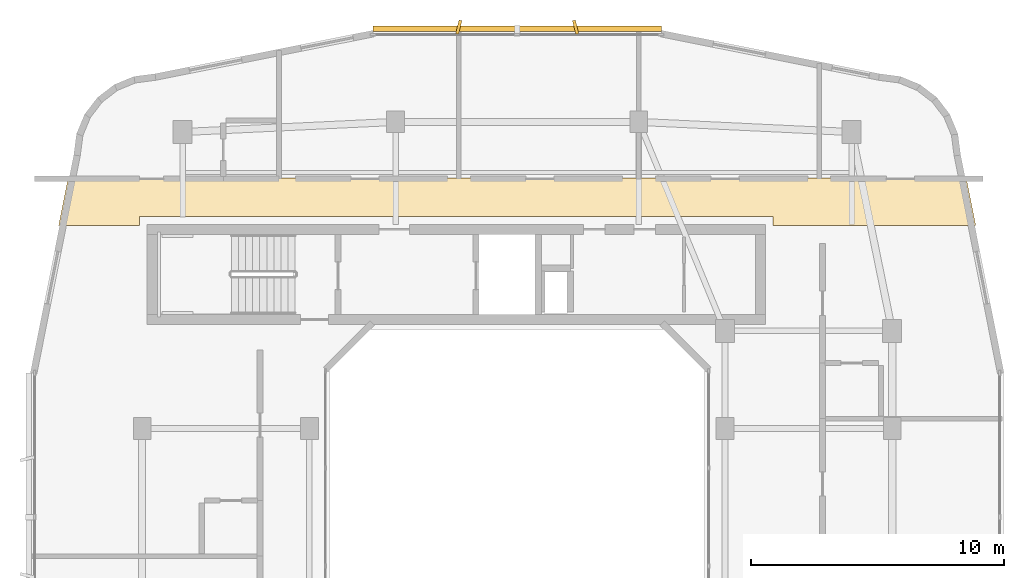
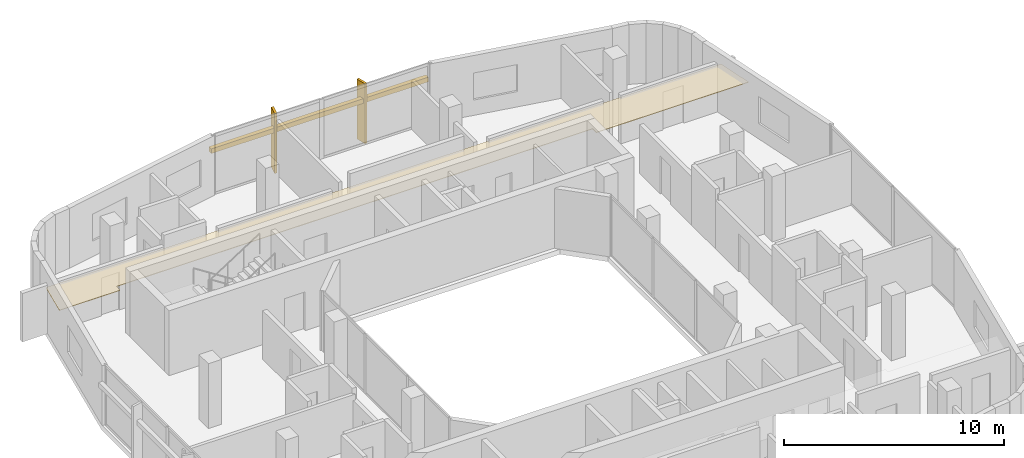
# One storey, part 14 of 14: 3 shading devices, 1 covering.
"""IFC4 building model written with IfcOpenShell, lengths in metres."""

from ifc_helpers import new_model, si_unit, derived_unit, direction, frame, origin, origin_2d, place, context, subcontext, project, spatial, polyline, rectangle, outline, extrude, material, layer, layer_set, type_object, element, save


model = new_model("IFC4")

# Units and contexts
model_context = context("Model", 3, precision=1e-05, world=origin(), true_north=direction((0.0, 1.0)))
body_context = subcontext(model_context, "Body", "Model", "MODEL_VIEW")
ifc_project = project(units=[si_unit("LENGTHUNIT", "METRE"), si_unit("AREAUNIT", "SQUARE_METRE"), si_unit("VOLUMEUNIT", "CUBIC_METRE"), si_unit("PLANEANGLEUNIT", "RADIAN"), si_unit("MASSUNIT", "GRAM", prefix="KILO"), derived_unit("THERMALTRANSMITTANCEUNIT", [(si_unit("POWERUNIT", "WATT"), 1), (si_unit("LENGTHUNIT", "METRE"), -2), (si_unit("THERMODYNAMICTEMPERATUREUNIT", "KELVIN"), -1)])], contexts=[model_context])

# Site, building, storey
site_placement = place(None, origin())
site = spatial("IfcSite", under=ifc_project, at=site_placement, CompositionType="ELEMENT")
building_placement = place(site_placement, origin())
building = spatial("IfcBuilding", under=site, at=building_placement, Name="Kivonza Crest Hotel", CompositionType="ELEMENT")
storey_placement = place(building_placement, frame((0.0, 0.0, 213.5)))
storey = spatial("IfcBuildingStorey", under=building, at=storey_placement, Name="L58", CompositionType="ELEMENT", Elevation=213.5)

# Covering
ifc_material_1 = material(Name="Moisture-resistant gypsum plasterboard ceiling", Category="gypsum")
ifc_layer = layer(ifc_material_1, 0.030029296875)
ifc_layer_set = layer_set([ifc_layer], Name="Moisture-resistant gypsum plasterboard ceiling")
covering_type = type_object("IfcCoveringType", Name="CV-CEIL-GYP", PredefinedType="CEILING", material=ifc_layer_set)
covering_placement = place(storey_placement, frame((0.0, 0.0, 2.449951171875)))
element("IfcCovering", 1, at=covering_placement, inside=storey, type_object=covering_type, Name="L58 Hotel North Guest Corridor suspended ceiling", PredefinedType="CEILING", context=body_context, shape_type="SweptSolid", body=[
    extrude(outline(polyline([(3.278076171875, 38.389892578125), (2.906005859375, 36.52001953125), (6.10009765625, 36.52001953125), (6.10009765625, 36.860107421875), (31.10009765625, 36.860107421875), (31.10009765625, 36.52001953125), (39.093994140625, 36.52001953125), (38.721923828125, 38.389892578125), (3.278076171875, 38.389892578125)])), origin(), (0.0, 0.0, 1.0), 0.030029296875),
])

# Shading devices
ifc_material_2 = material(Name="Kiln-fired Nairobi red-ochre terracotta", Category="masonry")
shading_device_type_1 = type_object("IfcShadingDeviceType", Name="SH-BAGUETTE-300", PredefinedType="USERDEFINED", material=ifc_material_2)
shading_device_placement = place(storey_placement, frame((21.0, 44.280029296875, 2.19384765625), z_axis=(0.0, 0.0, 1.0), x_axis=(-1.0, 0.0, 0.0)))
element("IfcShadingDevice", 2, at=shading_device_placement, inside=storey, type_object=shading_device_type_1, Name="L58 terracotta baguette screen CW-T1-L58-26", ObjectType="BAGUETTE", PredefinedType="USERDEFINED", context=body_context, shape_type="SweptSolid", body=[
    extrude(rectangle(XDim=11.39990234375, YDim=0.219970703125, at=origin_2d()), origin(), (0.0, 0.0, 1.0), 0.260009765625),
])
ifc_material_3 = material(Name="Kiln-fired terracotta over extruded aluminium spine", Category="masonry")
shading_device_type_2 = type_object("IfcShadingDeviceType", Name="SH-FIN-550", PredefinedType="USERDEFINED", material=ifc_material_3)
for number, where, z_axis, x_axis, name in (
    (3, (23.303955078125, 44.340087890625, 0.0), (0.0, 0.0, 1.0), (-0.970295726276, -0.2419218956, 0.0), "L58 vertical solar shading fin CW-T1-L58-26-1"),
    (4, (18.696044921875, 44.340087890625, 0.0), (0.0, 0.0, 1.0), (-0.970295726276, 0.2419218956, 0.0), "L58 vertical solar shading fin CW-T1-L58-26-2"),
):
    element("IfcShadingDevice", number, at=place(storey_placement, frame(where, z_axis=z_axis, x_axis=x_axis)), inside=storey, type_object=shading_device_type_2, Name=name, ObjectType="FIN", PredefinedType="USERDEFINED", context=body_context, shape_type="SweptSolid", body=[
        extrude(rectangle(XDim=0.1201171875, YDim=0.550048828125, at=origin_2d()), origin(), (0.0, 0.0, 1.0), 3.320068359375),
    ])

save(model, "model.ifc")
